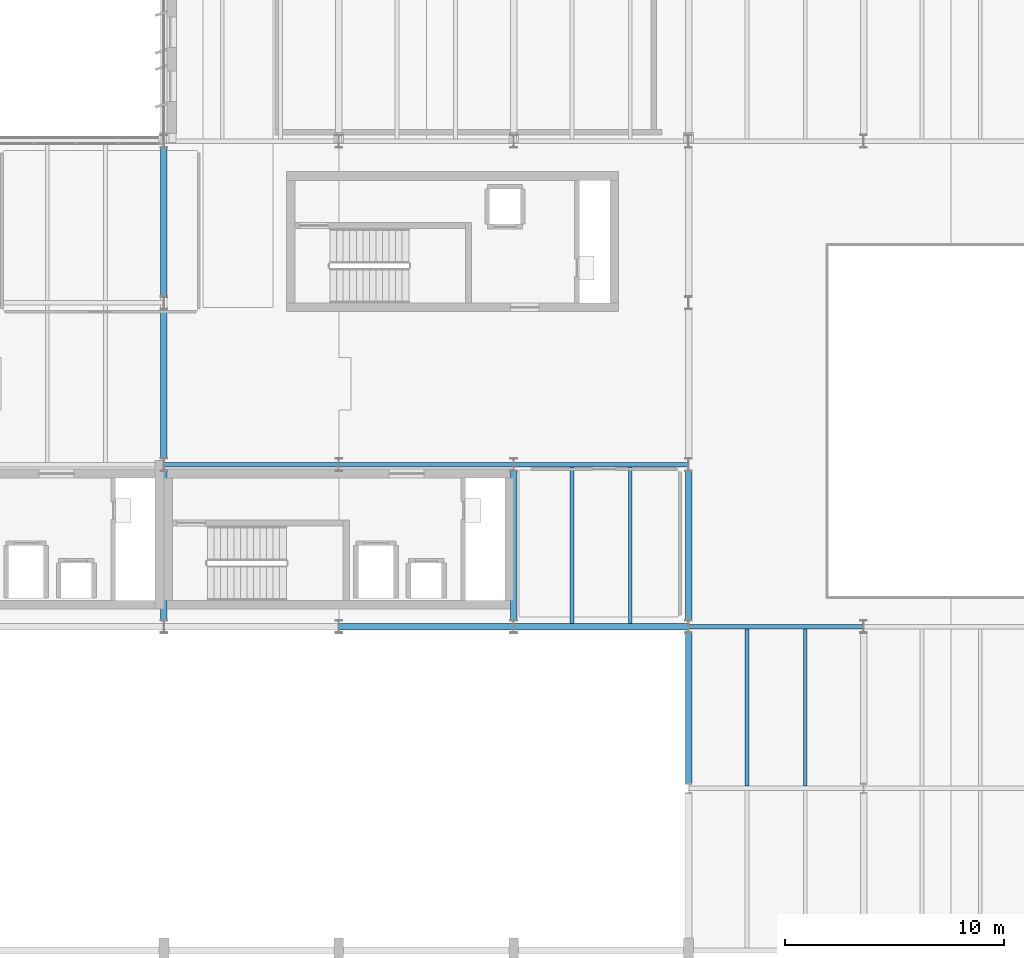
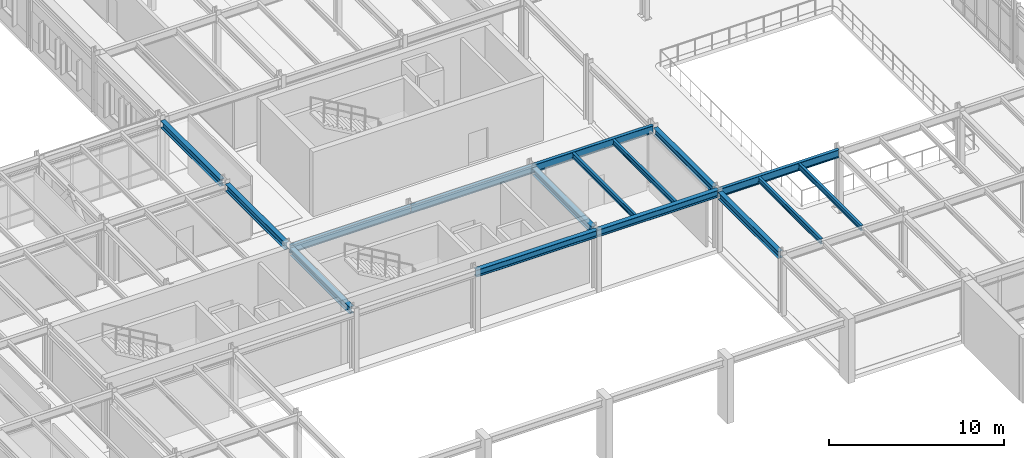
# One storey, part 18 of 75: 16 beams.
"""IFC4 building model written with IfcOpenShell, lengths in metres."""

from ifc_helpers import new_model, si_unit, direction, frame, origin, origin_2d, place, context, subcontext, project, spatial, i_section, extrude, material, material_profile, profile_set, type_object, element, save


model = new_model("IFC4")

# Units and contexts
model_context = context("Model", 3, precision=1e-05, world=origin(), true_north=direction((0.0, 1.0)))
body_context = subcontext(model_context, "Body", "Model", "MODEL_VIEW")
ifc_project = project(units=[si_unit("LENGTHUNIT", "METRE"), si_unit("AREAUNIT", "SQUARE_METRE"), si_unit("VOLUMEUNIT", "CUBIC_METRE"), si_unit("PLANEANGLEUNIT", "RADIAN"), si_unit("MASSUNIT", "GRAM", prefix="KILO")], contexts=[model_context])

# Site, building, storey
site_placement = place(None, origin())
site = spatial("IfcSite", under=ifc_project, at=site_placement, CompositionType="ELEMENT")
building_placement = place(site_placement, origin())
building = spatial("IfcBuilding", under=site, at=building_placement, Name="Valkorina Park Police Headquarters", CompositionType="ELEMENT")
storey_placement = place(building_placement, frame((0.0, 0.0, 5.39990234375)))
storey = spatial("IfcBuildingStorey", under=building, at=storey_placement, Name="L02", CompositionType="ELEMENT", Elevation=5.39990234375)

# Beams
ifc_material = material(Name="Steel S355", Category="steel")
ifc_material_profile_1 = material_profile(ifc_material, i_section(OverallWidth=0.300048828125, OverallDepth=0.489990234375, WebThickness=0.011962890625, FlangeThickness=0.02294921875, FilletRadius=0.027099609375, at=origin_2d()), Name="HEA 500")
ifc_profile_set_1 = profile_set([ifc_material_profile_1], Name="Steel S355")
beam_type_1 = type_object("IfcBeamType", Name="BM-S355-HEA500-BM", PredefinedType="BEAM", material=ifc_profile_set_1)
for number, where, z_axis, x_axis, name in (
    (1, (32.800048828125, 37.300048828125, 3.9951171875), (0.0, 1.0, 0.0), (-1.0, 0.0, 0.0), "L02 Framing Beam 1542"),
    (2, (32.800048828125, 44.699951171875, 3.9951171875), (0.0, 1.0, 0.0), (-1.0, 0.0, 0.0), "L02 Framing Beam 1543"),
):
    element("IfcBeam", number, at=place(storey_placement, frame(where, z_axis=z_axis, x_axis=x_axis)), inside=storey, type_object=beam_type_1, Name=name, PredefinedType="BEAM", context=body_context, shape_type="SweptSolid", body=[
        extrude(i_section(OverallWidth=0.300048828125, OverallDepth=0.489990234375, WebThickness=0.011962890625, FlangeThickness=0.02294921875, FilletRadius=0.027099609375, at=origin_2d()), origin(), (0.0, 0.0, 1.0), 6.800048828125),
    ])
beam_1_placement = place(storey_placement, frame((32.800048828125, 52.10009765625, 3.925048828125), z_axis=(0.0, 1.0, 0.0), x_axis=(-1.0, 0.0, 0.0)))
element("IfcBeam", 3, at=beam_1_placement, inside=storey, type_object=beam_type_1, Name="L02 Framing Beam 1544", PredefinedType="BEAM", context=body_context, shape_type="SweptSolid", body=[
    extrude(i_section(OverallWidth=0.300048828125, OverallDepth=0.489990234375, WebThickness=0.011962890625, FlangeThickness=0.02294921875, FilletRadius=0.027099609375, at=origin_2d()), origin(), (0.0, 0.0, 1.0), 6.7998046875),
])
for number, where, z_axis, x_axis, name in (
    (4, (48.800048828125, 37.300048828125, 3.9951171875), (0.0, 1.0, 0.0), (-1.0, 0.0, 0.0), "L02 Framing Beam 1573"),
    (5, (56.800048828125, 37.300048828125, 3.9951171875), (0.0, 1.0, 0.0), (-1.0, 0.0, 0.0), "L02 Framing Beam 1595"),
):
    element("IfcBeam", number, at=place(storey_placement, frame(where, z_axis=z_axis, x_axis=x_axis)), inside=storey, type_object=beam_type_1, Name=name, PredefinedType="BEAM", context=body_context, shape_type="SweptSolid", body=[
        extrude(i_section(OverallWidth=0.300048828125, OverallDepth=0.489990234375, WebThickness=0.011962890625, FlangeThickness=0.02294921875, FilletRadius=0.027099609375, at=origin_2d()), origin(), (0.0, 0.0, 1.0), 6.800048828125),
    ])
ifc_material_profile_2 = material_profile(ifc_material, i_section(OverallWidth=0.300048828125, OverallDepth=0.489990234375, WebThickness=0.011962890625, FlangeThickness=0.02294921875, FilletRadius=0.027099609375, at=origin_2d()), Name="HEA 500")
ifc_profile_set_2 = profile_set([ifc_material_profile_2], Name="Steel S355")
beam_type_2 = type_object("IfcBeamType", Name="BM-S355-HEA500-SPN", PredefinedType="SPANDREL", material=ifc_profile_set_2)
for number, where, z_axis, x_axis, name in (
    (6, (40.8076171875, 37.0, 3.9951171875), (1.0, 0.0, 0.0), (0.0, 1.0, 0.0), "L02 Framing Beam 1317"),
    (7, (48.8076171875, 37.0, 3.9951171875), (1.0, 0.0, 0.0), (0.0, 1.0, 0.0), "L02 Framing Beam 1318"),
):
    element("IfcBeam", number, at=place(storey_placement, frame(where, z_axis=z_axis, x_axis=x_axis)), inside=storey, type_object=beam_type_2, Name=name, PredefinedType="SPANDREL", context=body_context, shape_type="SweptSolid", body=[
        extrude(i_section(OverallWidth=0.300048828125, OverallDepth=0.489990234375, WebThickness=0.011962890625, FlangeThickness=0.02294921875, FilletRadius=0.027099609375, at=origin_2d()), origin(), (0.0, 0.0, 1.0), 7.984619140625),
    ])
beam_2_placement = place(storey_placement, frame((56.800048828125, 29.824951171875, 3.9951171875), z_axis=(0.0, 1.0, 0.0), x_axis=(-1.0, 0.0, 0.0)))
element("IfcBeam", 8, at=beam_2_placement, inside=storey, type_object=beam_type_2, Name="L02 Framing Beam 1592", PredefinedType="SPANDREL", context=body_context, shape_type="SweptSolid", body=[
    extrude(i_section(OverallWidth=0.300048828125, OverallDepth=0.489990234375, WebThickness=0.011962890625, FlangeThickness=0.02294921875, FilletRadius=0.027099609375, at=origin_2d()), origin(), (0.0, 0.0, 1.0), 6.875),
])
ifc_material_profile_3 = material_profile(ifc_material, i_section(OverallWidth=0.169921875, OverallDepth=0.360107421875, WebThickness=0.008056640625, FlangeThickness=0.0126953125, FilletRadius=0.01806640625, at=origin_2d()), Name="IPE 360")
ifc_profile_set_3 = profile_set([ifc_material_profile_3], Name="Steel S355")
beam_type_3 = type_object("IfcBeamType", Name="BM-S355-IPE360-JST", PredefinedType="JOIST", material=ifc_profile_set_3)
for number, where, z_axis, x_axis, name in (
    (9, (51.466796875, 37.14990234375, 4.06005859375), (0.0, 1.0, 0.0), (-1.0, 0.0, 0.0), "L02 Framing Beam 1574"),
    (10, (54.13330078125, 37.14990234375, 4.06005859375), (0.0, 1.0, 0.0), (-1.0, 0.0, 0.0), "L02 Framing Beam 1575"),
):
    element("IfcBeam", number, at=place(storey_placement, frame(where, z_axis=z_axis, x_axis=x_axis)), inside=storey, type_object=beam_type_3, Name=name, PredefinedType="JOIST", context=body_context, shape_type="SweptSolid", body=[
        extrude(i_section(OverallWidth=0.169921875, OverallDepth=0.360107421875, WebThickness=0.008056640625, FlangeThickness=0.0126953125, FilletRadius=0.01806640625, at=origin_2d()), origin(), (0.0, 0.0, 1.0), 7.14501953125),
    ])
for number, where, z_axis, x_axis, name in (
    (11, (59.466796875, 29.705078125, 4.06005859375), (0.0, 1.0, 0.0), (-1.0, 0.0, 0.0), "L02 Framing Beam 1593"),
    (12, (62.13330078125, 29.705078125, 4.06005859375), (0.0, 1.0, 0.0), (-1.0, 0.0, 0.0), "L02 Framing Beam 1594"),
):
    element("IfcBeam", number, at=place(storey_placement, frame(where, z_axis=z_axis, x_axis=x_axis)), inside=storey, type_object=beam_type_3, Name=name, PredefinedType="JOIST", context=body_context, shape_type="SweptSolid", body=[
        extrude(i_section(OverallWidth=0.169921875, OverallDepth=0.360107421875, WebThickness=0.008056640625, FlangeThickness=0.0126953125, FilletRadius=0.01806640625, at=origin_2d()), origin(), (0.0, 0.0, 1.0), 7.18994140625),
    ])
ifc_material_profile_4 = material_profile(ifc_material, i_section(OverallWidth=0.2099609375, OverallDepth=0.550048828125, WebThickness=0.010986328125, FlangeThickness=0.01708984375, FilletRadius=0.02392578125, at=origin_2d()), Name="IPE 550")
ifc_profile_set_4 = profile_set([ifc_material_profile_4], Name="Steel S355")
beam_type_4 = type_object("IfcBeamType", Name="BM-S355-IPE550-BM", PredefinedType="BEAM", material=ifc_profile_set_4)
for number, where, z_axis, x_axis, name in (
    (13, (56.8076171875, 37.0, 3.965087890625), (1.0, 0.0, 0.0), (0.0, 1.0, 0.0), "L02 Framing Beam 1319"),
    (14, (32.8076171875, 44.39990234375, 3.965087890625), (1.0, 0.0, 0.0), (0.0, 1.0, 0.0), "L02 Framing Beam 1328"),
    (15, (40.8076171875, 44.39990234375, 3.965087890625), (1.0, 0.0, 0.0), (0.0, 1.0, 0.0), "L02 Framing Beam 1329"),
    (16, (48.8076171875, 44.39990234375, 3.965087890625), (1.0, 0.0, 0.0), (0.0, 1.0, 0.0), "L02 Framing Beam 1330"),
):
    element("IfcBeam", number, at=place(storey_placement, frame(where, z_axis=z_axis, x_axis=x_axis)), inside=storey, type_object=beam_type_4, Name=name, PredefinedType="BEAM", context=body_context, shape_type="SweptSolid", body=[
        extrude(i_section(OverallWidth=0.2099609375, OverallDepth=0.550048828125, WebThickness=0.010986328125, FlangeThickness=0.01708984375, FilletRadius=0.02392578125, at=origin_2d()), origin(), (0.0, 0.0, 1.0), 7.984619140625),
    ])

save(model, "model.ifc")
